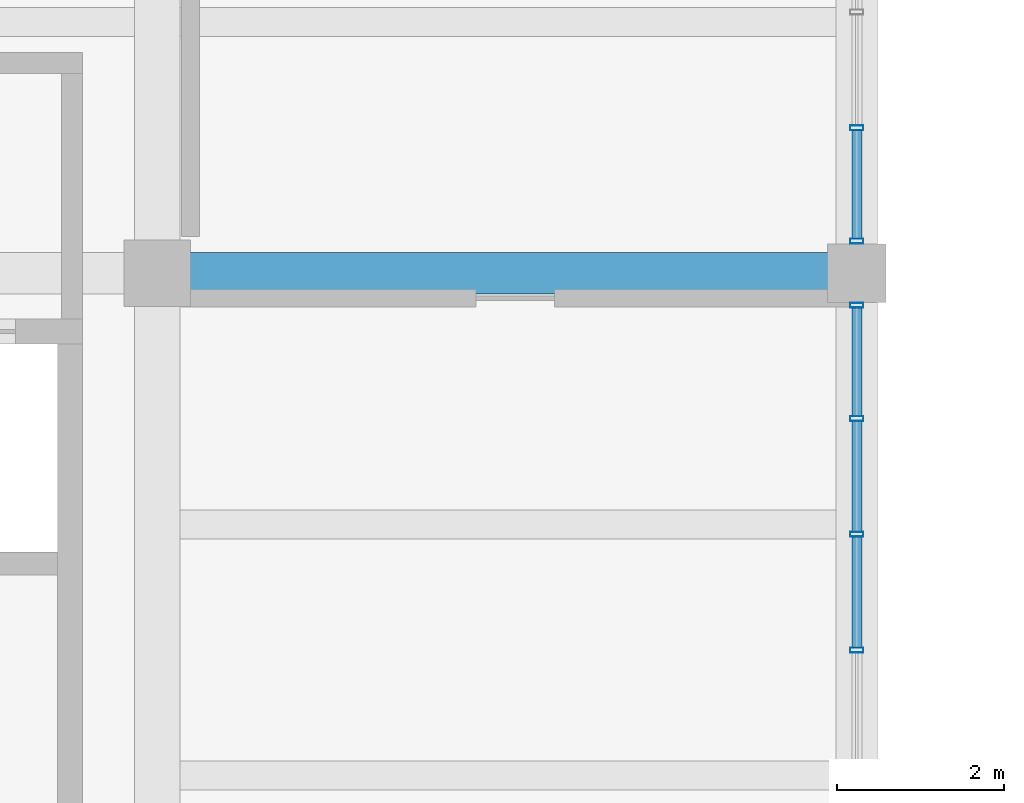
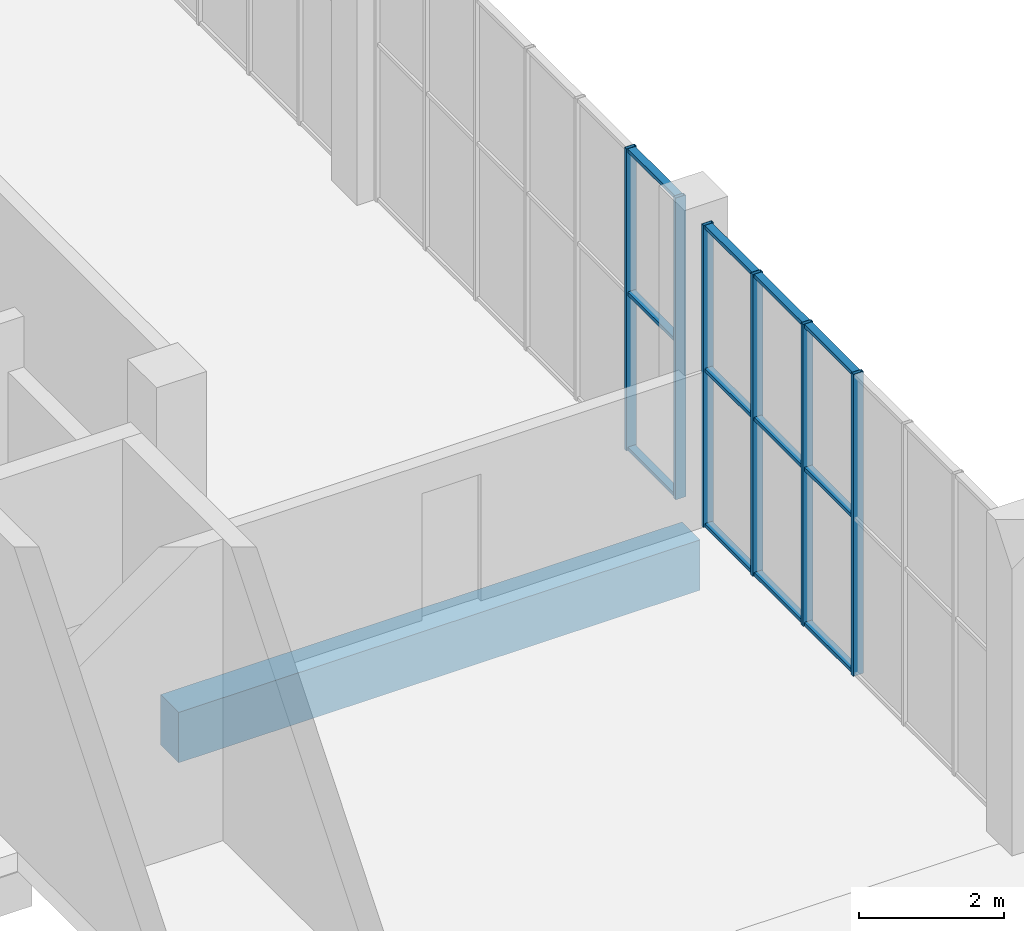
# One storey, part 57 of 91: 18 members, 1 beam, 2 elements without a shape of their own.
"""IFC4 building model written with IfcOpenShell, lengths in metres."""

from ifc_helpers import new_model, si_unit, direction, frame, origin, origin_2d, place, context, subcontext, project, spatial, rectangle, hollow_rectangle, extrude, material, material_profile, profile_set, type_object, element, aggregate, save


model = new_model("IFC4")

# Units and contexts
model_context = context("Model", 3, precision=1e-05, world=origin(), true_north=direction((0.0, 1.0)))
body_context = subcontext(model_context, "Body", "Model", "MODEL_VIEW")
ifc_project = project(units=[si_unit("LENGTHUNIT", "METRE"), si_unit("AREAUNIT", "SQUARE_METRE"), si_unit("VOLUMEUNIT", "CUBIC_METRE"), si_unit("PLANEANGLEUNIT", "RADIAN"), si_unit("MASSUNIT", "GRAM", prefix="KILO")], contexts=[model_context])

# Site, building, storey
site_placement = place(None, origin())
site = spatial("IfcSite", under=ifc_project, at=site_placement, CompositionType="ELEMENT")
building_placement = place(site_placement, origin())
building = spatial("IfcBuilding", under=site, at=building_placement, Name="Khurvash Pelagic Aquarium", CompositionType="ELEMENT")
storey_placement = place(building_placement, origin())
storey = spatial("IfcBuildingStorey", under=building, at=storey_placement, Name="L00", CompositionType="ELEMENT", Elevation=0.0)

# Beam
ifc_material_1 = material(Name="Concrete C40/50", Category="concrete")
ifc_material_profile_1 = material_profile(ifc_material_1, rectangle(XDim=0.5, YDim=0.85009765625, at=origin_2d()), Name="RC500X850")
ifc_profile_set_1 = profile_set([ifc_material_profile_1], Name="Concrete C40/50")
beam_type = type_object("IfcBeamType", Name="BM-03", PredefinedType="BEAM", material=ifc_profile_set_1)
beam_placement = place(storey_placement, frame((117.639892578125, 93.10009765625, -0.7451171875), z_axis=(1.0, 0.0, 0.0), x_axis=(0.0, 1.0, 0.0)))
element("IfcBeam", 1, at=beam_placement, inside=storey, type_object=beam_type, Name="L00 Primary Girder BM-03 00069", PredefinedType="BEAM", context=body_context, shape_type="SweptSolid", body=[
    extrude(rectangle(XDim=0.5, YDim=0.85009765625, at=origin_2d()), origin(), (0.0, 0.0, 1.0), 8.320068359375),
])

# Curtain wall, members
ifc_material_2 = material(Name="Anodised aluminium and low-E laminated glass", Category="aluminium")
curtain_wall_type = type_object("IfcCurtainWallType", Name="CW-05", PredefinedType="USERDEFINED", material=ifc_material_2)
curtain_wall_1_placement = place(storey_placement, origin())
curtain_wall_1 = element("IfcCurtainWall", 2, at=curtain_wall_1_placement, inside=storey, type_object=curtain_wall_type, Name="L00 Facade Unitised Curtain Wall CW-05 0061", ObjectType="UNITISED CURTAIN WALL", PredefinedType="USERDEFINED")
ifc_material_3 = material(Name="Extruded aluminium AW-6063-T6", Category="aluminium")
ifc_material_profile_2 = material_profile(ifc_material_3, hollow_rectangle(XDim=0.06005859375, YDim=0.159912109375, WallThickness=0.00390625, at=origin_2d()), Name="CWM60X160X4")
ifc_profile_set_2 = profile_set([ifc_material_profile_2], Name="Extruded aluminium AW-6063-T6")
member_type_1 = type_object("IfcMemberType", Name="CM-02", PredefinedType="MULLION", material=ifc_profile_set_2)
member_1_placement = place(storey_placement, frame((126.0, 88.574951171875, 0.0), z_axis=(0.0, 0.0, 1.0), x_axis=(0.0, 1.0, 0.0)))
member_1 = element("IfcMember", 3, at=member_1_placement, type_object=member_type_1, Name="CW-05 mullion 4", PredefinedType="MULLION", context=body_context, shape_type="SweptSolid", body=[
    extrude(hollow_rectangle(XDim=0.06005859375, YDim=0.159912109375, WallThickness=0.00390625, at=origin_2d()), origin(), (0.0, 0.0, 1.0), 5.090087890625),
])
member_2_placement = place(storey_placement, frame((126.0, 89.965087890625, 0.0), z_axis=(0.0, 0.0, 1.0), x_axis=(0.0, 1.0, 0.0)))
member_2 = element("IfcMember", 4, at=member_2_placement, type_object=member_type_1, Name="CW-05 mullion 5", PredefinedType="MULLION", context=body_context, shape_type="SweptSolid", body=[
    extrude(hollow_rectangle(XDim=0.06005859375, YDim=0.159912109375, WallThickness=0.00390625, at=origin_2d()), origin(), (0.0, 0.0, 1.0), 5.090087890625),
])
member_3_placement = place(storey_placement, frame((126.0, 91.35498046875, 0.0), z_axis=(0.0, 0.0, 1.0), x_axis=(0.0, 1.0, 0.0)))
member_3 = element("IfcMember", 5, at=member_3_placement, type_object=member_type_1, Name="CW-05 mullion 6", PredefinedType="MULLION", context=body_context, shape_type="SweptSolid", body=[
    extrude(hollow_rectangle(XDim=0.06005859375, YDim=0.159912109375, WallThickness=0.00390625, at=origin_2d()), origin(), (0.0, 0.0, 1.0), 5.090087890625),
])
member_4_placement = place(storey_placement, frame((126.0, 92.715087890625, 0.0), z_axis=(0.0, 0.0, 1.0), x_axis=(0.0, 1.0, 0.0)))
member_4 = element("IfcMember", 6, at=member_4_placement, type_object=member_type_1, Name="CW-05 mullion 7", PredefinedType="MULLION", context=body_context, shape_type="SweptSolid", body=[
    extrude(hollow_rectangle(XDim=0.06005859375, YDim=0.159912109375, WallThickness=0.00390625, at=origin_2d()), origin(), (0.0, 0.0, 1.0), 5.090087890625),
])

curtain_wall_2_placement = place(storey_placement, origin())
curtain_wall_2 = element("IfcCurtainWall", 7, at=curtain_wall_2_placement, inside=storey, type_object=curtain_wall_type, Name="L00 Facade Unitised Curtain Wall CW-05 0062", ObjectType="UNITISED CURTAIN WALL", PredefinedType="USERDEFINED")
member_5_placement = place(storey_placement, frame((126.0, 93.485107421875, 0.0), z_axis=(0.0, 0.0, 1.0), x_axis=(0.0, 1.0, 0.0)))
member_5 = element("IfcMember", 8, at=member_5_placement, type_object=member_type_1, Name="CW-05 mullion 1", PredefinedType="MULLION", context=body_context, shape_type="SweptSolid", body=[
    extrude(hollow_rectangle(XDim=0.06005859375, YDim=0.159912109375, WallThickness=0.00390625, at=origin_2d()), origin(), (0.0, 0.0, 1.0), 5.090087890625),
])
member_6_placement = place(storey_placement, frame((126.0, 94.844970703125, 0.0), z_axis=(0.0, 0.0, 1.0), x_axis=(0.0, 1.0, 0.0)))
member_6 = element("IfcMember", 9, at=member_6_placement, type_object=member_type_1, Name="CW-05 mullion 2", PredefinedType="MULLION", context=body_context, shape_type="SweptSolid", body=[
    extrude(hollow_rectangle(XDim=0.06005859375, YDim=0.159912109375, WallThickness=0.00390625, at=origin_2d()), origin(), (0.0, 0.0, 1.0), 5.090087890625),
])

# Member
ifc_material_profile_3 = material_profile(ifc_material_3, hollow_rectangle(XDim=0.1201171875, YDim=0.06005859375, WallThickness=0.00390625, at=origin_2d()), Name="CWT120X60X4")
ifc_profile_set_3 = profile_set([ifc_material_profile_3], Name="Extruded aluminium AW-6063-T6")
member_type_2 = type_object("IfcMemberType", Name="CT-02", PredefinedType="USERDEFINED", material=ifc_profile_set_3)
member_7_placement = place(storey_placement, frame((126.0, 88.60498046875, 0.030029296875), z_axis=(0.0, 1.0, 0.0), x_axis=(-1.0, 0.0, 0.0)))
member_7 = element("IfcMember", 10, at=member_7_placement, type_object=member_type_2, Name="CW-05 transom 4.1", ObjectType="TRANSOM", PredefinedType="USERDEFINED", context=body_context, shape_type="SweptSolid", body=[
    extrude(hollow_rectangle(XDim=0.1201171875, YDim=0.06005859375, WallThickness=0.00390625, at=origin_2d()), origin(), (0.0, 0.0, 1.0), 1.330078125),
])

member_8_placement = place(storey_placement, frame((126.0, 88.60498046875, 2.64697265625), z_axis=(0.0, 1.0, 0.0), x_axis=(-1.0, 0.0, 0.0)))
member_8 = element("IfcMember", 11, at=member_8_placement, type_object=member_type_2, Name="CW-05 transom 4.2", ObjectType="TRANSOM", PredefinedType="USERDEFINED", context=body_context, shape_type="SweptSolid", body=[
    extrude(hollow_rectangle(XDim=0.1201171875, YDim=0.06005859375, WallThickness=0.00390625, at=origin_2d()), origin(), (0.0, 0.0, 1.0), 1.330078125),
])

member_9_placement = place(storey_placement, frame((126.0, 88.60498046875, 5.06005859375), z_axis=(0.0, 1.0, 0.0), x_axis=(-1.0, 0.0, 0.0)))
member_9 = element("IfcMember", 12, at=member_9_placement, type_object=member_type_2, Name="CW-05 transom 4.3", ObjectType="TRANSOM", PredefinedType="USERDEFINED", context=body_context, shape_type="SweptSolid", body=[
    extrude(hollow_rectangle(XDim=0.1201171875, YDim=0.06005859375, WallThickness=0.00390625, at=origin_2d()), origin(), (0.0, 0.0, 1.0), 1.330078125),
])

member_10_placement = place(storey_placement, frame((126.0, 89.9951171875, 0.030029296875), z_axis=(0.0, 1.0, 0.0), x_axis=(-1.0, 0.0, 0.0)))
member_10 = element("IfcMember", 13, at=member_10_placement, type_object=member_type_2, Name="CW-05 transom 5.1", ObjectType="TRANSOM", PredefinedType="USERDEFINED", context=body_context, shape_type="SweptSolid", body=[
    extrude(hollow_rectangle(XDim=0.1201171875, YDim=0.06005859375, WallThickness=0.00390625, at=origin_2d()), origin(), (0.0, 0.0, 1.0), 1.329833984375),
])

member_11_placement = place(storey_placement, frame((126.0, 89.9951171875, 2.64697265625), z_axis=(0.0, 1.0, 0.0), x_axis=(-1.0, 0.0, 0.0)))
member_11 = element("IfcMember", 14, at=member_11_placement, type_object=member_type_2, Name="CW-05 transom 5.2", ObjectType="TRANSOM", PredefinedType="USERDEFINED", context=body_context, shape_type="SweptSolid", body=[
    extrude(hollow_rectangle(XDim=0.1201171875, YDim=0.06005859375, WallThickness=0.00390625, at=origin_2d()), origin(), (0.0, 0.0, 1.0), 1.329833984375),
])

member_12_placement = place(storey_placement, frame((126.0, 89.9951171875, 5.06005859375), z_axis=(0.0, 1.0, 0.0), x_axis=(-1.0, 0.0, 0.0)))
member_12 = element("IfcMember", 15, at=member_12_placement, type_object=member_type_2, Name="CW-05 transom 5.3", ObjectType="TRANSOM", PredefinedType="USERDEFINED", context=body_context, shape_type="SweptSolid", body=[
    extrude(hollow_rectangle(XDim=0.1201171875, YDim=0.06005859375, WallThickness=0.00390625, at=origin_2d()), origin(), (0.0, 0.0, 1.0), 1.329833984375),
])

member_13_placement = place(storey_placement, frame((126.0, 91.385009765625, 0.030029296875), z_axis=(0.0, 1.0, 0.0), x_axis=(-1.0, 0.0, 0.0)))
member_13 = element("IfcMember", 16, at=member_13_placement, type_object=member_type_2, Name="CW-05 transom 6.1", ObjectType="TRANSOM", PredefinedType="USERDEFINED", context=body_context, shape_type="SweptSolid", body=[
    extrude(hollow_rectangle(XDim=0.1201171875, YDim=0.06005859375, WallThickness=0.00390625, at=origin_2d()), origin(), (0.0, 0.0, 1.0), 1.300048828125),
])

member_14_placement = place(storey_placement, frame((126.0, 91.385009765625, 2.64697265625), z_axis=(0.0, 1.0, 0.0), x_axis=(-1.0, 0.0, 0.0)))
member_14 = element("IfcMember", 17, at=member_14_placement, type_object=member_type_2, Name="CW-05 transom 6.2", ObjectType="TRANSOM", PredefinedType="USERDEFINED", context=body_context, shape_type="SweptSolid", body=[
    extrude(hollow_rectangle(XDim=0.1201171875, YDim=0.06005859375, WallThickness=0.00390625, at=origin_2d()), origin(), (0.0, 0.0, 1.0), 1.300048828125),
])

member_15_placement = place(storey_placement, frame((126.0, 91.385009765625, 5.06005859375), z_axis=(0.0, 1.0, 0.0), x_axis=(-1.0, 0.0, 0.0)))
member_15 = element("IfcMember", 18, at=member_15_placement, type_object=member_type_2, Name="CW-05 transom 6.3", ObjectType="TRANSOM", PredefinedType="USERDEFINED", context=body_context, shape_type="SweptSolid", body=[
    extrude(hollow_rectangle(XDim=0.1201171875, YDim=0.06005859375, WallThickness=0.00390625, at=origin_2d()), origin(), (0.0, 0.0, 1.0), 1.300048828125),
])

aggregate(curtain_wall_1, [member_1, member_2, member_3, member_4, member_7, member_8, member_9, member_10, member_11, member_12, member_13, member_14, member_15])

member_16_placement = place(storey_placement, frame((126.0, 93.514892578125, 0.030029296875), z_axis=(0.0, 1.0, 0.0), x_axis=(-1.0, 0.0, 0.0)))
member_16 = element("IfcMember", 19, at=member_16_placement, type_object=member_type_2, Name="CW-05 transom 1.1", ObjectType="TRANSOM", PredefinedType="USERDEFINED", context=body_context, shape_type="SweptSolid", body=[
    extrude(hollow_rectangle(XDim=0.1201171875, YDim=0.06005859375, WallThickness=0.00390625, at=origin_2d()), origin(), (0.0, 0.0, 1.0), 1.300048828125),
])

member_17_placement = place(storey_placement, frame((126.0, 93.514892578125, 2.64697265625), z_axis=(0.0, 1.0, 0.0), x_axis=(-1.0, 0.0, 0.0)))
member_17 = element("IfcMember", 20, at=member_17_placement, type_object=member_type_2, Name="CW-05 transom 1.2", ObjectType="TRANSOM", PredefinedType="USERDEFINED", context=body_context, shape_type="SweptSolid", body=[
    extrude(hollow_rectangle(XDim=0.1201171875, YDim=0.06005859375, WallThickness=0.00390625, at=origin_2d()), origin(), (0.0, 0.0, 1.0), 1.300048828125),
])

member_18_placement = place(storey_placement, frame((126.0, 93.514892578125, 5.06005859375), z_axis=(0.0, 1.0, 0.0), x_axis=(-1.0, 0.0, 0.0)))
member_18 = element("IfcMember", 21, at=member_18_placement, type_object=member_type_2, Name="CW-05 transom 1.3", ObjectType="TRANSOM", PredefinedType="USERDEFINED", context=body_context, shape_type="SweptSolid", body=[
    extrude(hollow_rectangle(XDim=0.1201171875, YDim=0.06005859375, WallThickness=0.00390625, at=origin_2d()), origin(), (0.0, 0.0, 1.0), 1.300048828125),
])

aggregate(curtain_wall_2, [member_5, member_6, member_16, member_17, member_18])

save(model, "model.ifc")
